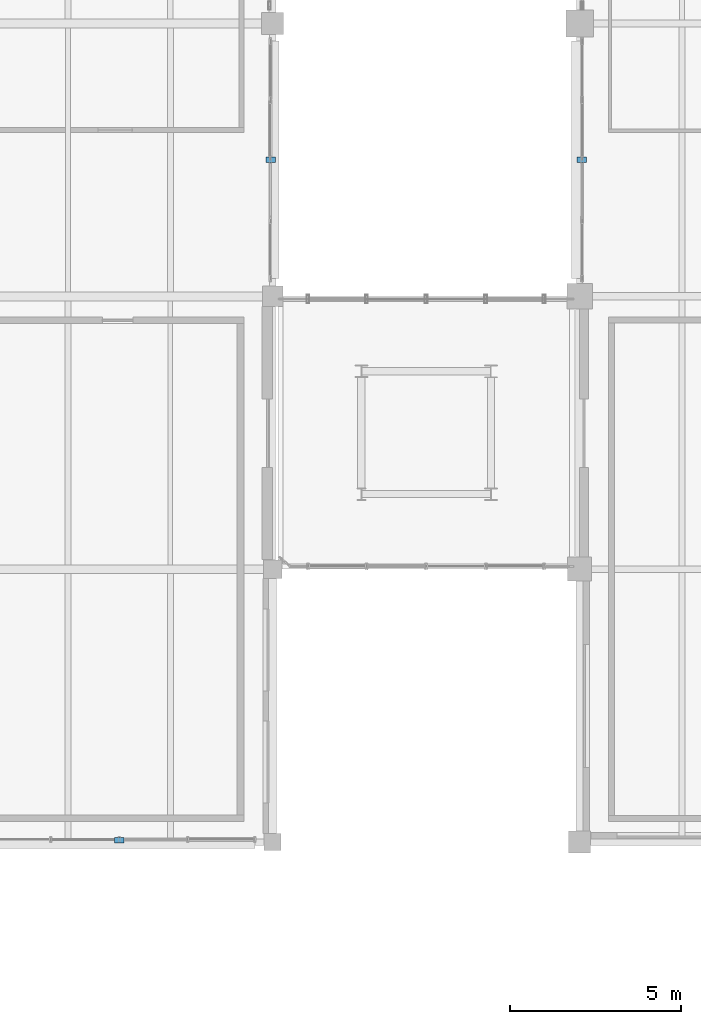
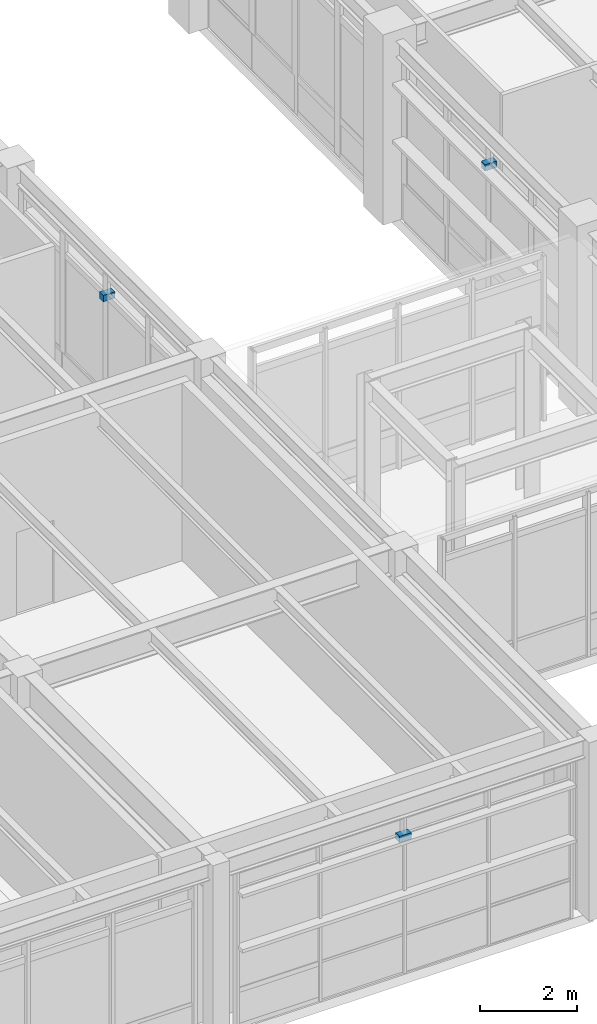
# One storey, part 187 of 200: 3 discrete accessories.
"""IFC4 building model written with IfcOpenShell, lengths in metres."""

from ifc_helpers import new_model, si_unit, direction, frame, origin, origin_2d, place, context, subcontext, project, spatial, rectangle, extrude, material, type_object, element, save


model = new_model("IFC4")

# Units and contexts
model_context = context("Model", 3, precision=1e-05, world=origin(), true_north=direction((0.0, 1.0)))
body_context = subcontext(model_context, "Body", "Model", "MODEL_VIEW")
ifc_project = project(units=[si_unit("LENGTHUNIT", "METRE"), si_unit("AREAUNIT", "SQUARE_METRE"), si_unit("VOLUMEUNIT", "CUBIC_METRE"), si_unit("PLANEANGLEUNIT", "RADIAN"), si_unit("MASSUNIT", "GRAM", prefix="KILO"), si_unit("THERMODYNAMICTEMPERATUREUNIT", "KELVIN"), si_unit("POWERUNIT", "WATT")], contexts=[model_context])

# Site, building, storey
site_placement = place(None, origin())
site = spatial("IfcSite", under=ifc_project, at=site_placement, CompositionType="ELEMENT")
building_placement = place(site_placement, origin())
building = spatial("IfcBuilding", under=site, at=building_placement, Name="Tepalcoro Natatorium and Aquatics Centre", CompositionType="ELEMENT")
storey_placement = place(building_placement, frame((0.0, 0.0, 5.39990234375)))
storey = spatial("IfcBuildingStorey", under=building, at=storey_placement, Name="L01", CompositionType="ELEMENT", Elevation=5.39990234375)

# Discrete accessories
ifc_material_1 = material(Name="Plate Steel ASTM A572 Grade 50 (Fy 345 MPa)", Category="steel")
discrete_accessory_type_1 = type_object("IfcDiscreteAccessoryType", Name="BRK_FACADE_GALV", PredefinedType="BRACKET", material=ifc_material_1)
discrete_accessory_placement = place(storey_placement, frame((98.05615234375, 106.0, 3.4873046875), z_axis=(0.0, 0.0, 1.0), x_axis=(1.0, 0.0, 0.0)))
element("IfcDiscreteAccessory", 1, at=discrete_accessory_placement, inside=storey, type_object=discrete_accessory_type_1, Name="Solar Shading Outrigger Bracket BRK_FACADE_GALV", PredefinedType="BRACKET", context=body_context, shape_type="SweptSolid", body=[
    extrude(rectangle(XDim=0.280029296875, YDim=0.159912109375, at=origin_2d()), origin(), (0.0, 0.0, 1.0), 0.159912109375),
])
ifc_material_2 = material(Name="Marine-Grade Brushed Stainless Steel AISI 316L", Category="steel")
discrete_accessory_type_2 = type_object("IfcDiscreteAccessoryType", Name="BRK_SEISMIC_SS", PredefinedType="BRACKET", material=ifc_material_2)
for number, where, z_axis, x_axis, name in (
    (2, (84.5, 86.05615234375, 3.38037109375), (0.0, 0.0, 1.0), (1.0, 0.0, 0.0), "Solar Shading Outrigger Bracket BRK_SEISMIC_SS"),
    (3, (88.94384765625, 106.0, 3.38037109375), (0.0, 0.0, 1.0), (1.0, 0.0, 0.0), "Solar Shading Outrigger Bracket BRK_SEISMIC_SS"),
):
    element("IfcDiscreteAccessory", number, at=place(storey_placement, frame(where, z_axis=z_axis, x_axis=x_axis)), inside=storey, type_object=discrete_accessory_type_2, Name=name, PredefinedType="BRACKET", context=body_context, shape_type="SweptSolid", body=[
        extrude(rectangle(XDim=0.280029296875, YDim=0.159912109375, at=origin_2d()), origin(), (0.0, 0.0, 1.0), 0.159912109375),
    ])

save(model, "model.ifc")
